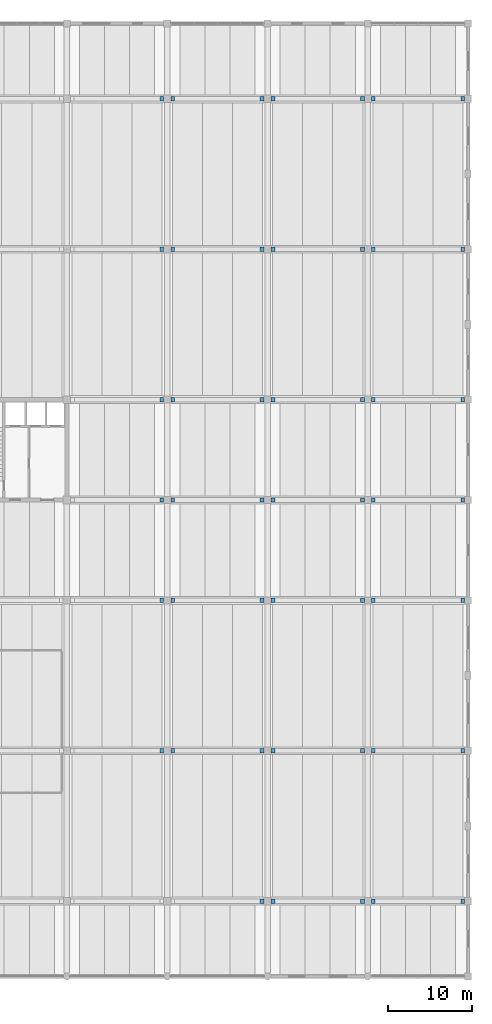
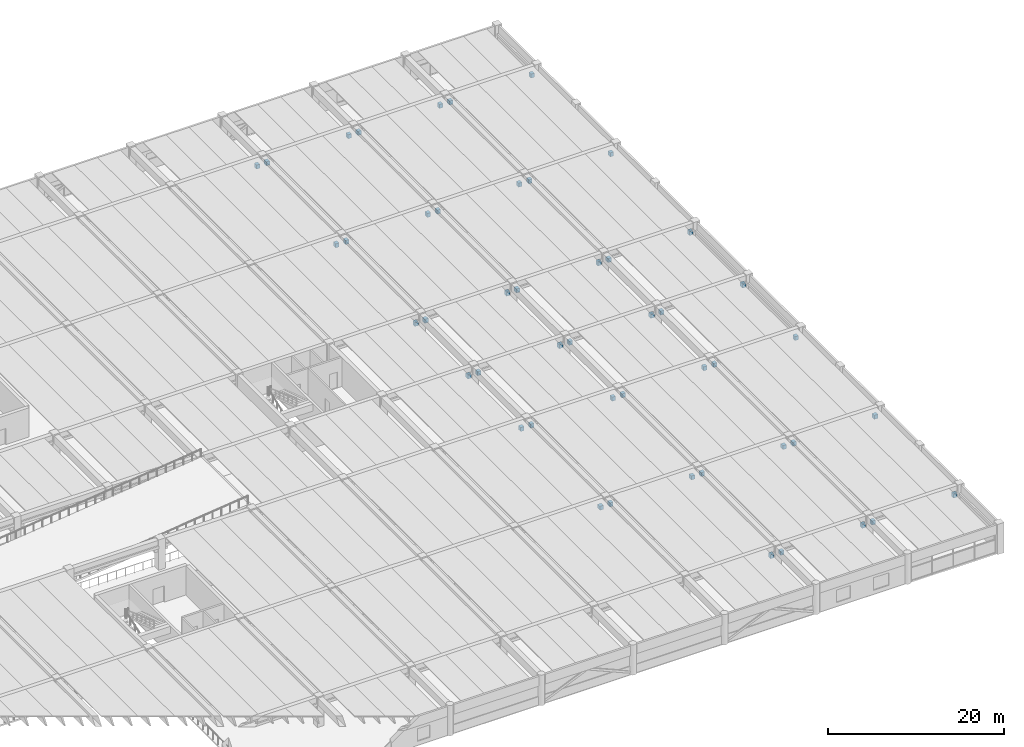
# One storey, part 42 of 50: 47 discrete accessories.
"""IFC4 building model written with IfcOpenShell, lengths in metres."""

from ifc_helpers import new_model, si_unit, direction, frame, origin, origin_2d, place, context, subcontext, project, spatial, rectangle, extrude, material, type_object, element, save


model = new_model("IFC4")

# Units and contexts
model_context = context("Model", 3, precision=1e-05, world=origin(), true_north=direction((0.0, 1.0)))
body_context = subcontext(model_context, "Body", "Model", "MODEL_VIEW")
ifc_project = project(units=[si_unit("LENGTHUNIT", "METRE"), si_unit("AREAUNIT", "SQUARE_METRE"), si_unit("VOLUMEUNIT", "CUBIC_METRE"), si_unit("PLANEANGLEUNIT", "RADIAN"), si_unit("MASSUNIT", "GRAM", prefix="KILO")], contexts=[model_context])

# Site, building, storey
site_placement = place(None, origin())
site = spatial("IfcSite", under=ifc_project, at=site_placement, CompositionType="ELEMENT")
building_placement = place(site_placement, origin())
building = spatial("IfcBuilding", under=site, at=building_placement, Name="Girod Span Mobility Hub", CompositionType="ELEMENT")
storey_placement = place(building_placement, frame((0.0, 0.0, 5.39990234375)))
storey = spatial("IfcBuildingStorey", under=building, at=storey_placement, Name="L01", CompositionType="ELEMENT", Elevation=5.39990234375)

# Discrete accessories
ifc_material = material(Name="Concrete C40/50", Category="concrete")
discrete_accessory_type = type_object("IfcDiscreteAccessoryType", Name="ACC-CORBEL-550", PredefinedType="BRACKET", material=ifc_material)
for number, where, z_axis, x_axis, name in (
    (1, (143.35205078125, 9.0, 2.44189453125), (0.0, 0.0, 1.0), (1.0, 0.0, 0.0), "Precast Corbel 12/B-R L01"),
    (2, (144.64794921875, 9.0, 2.44189453125), (0.0, 0.0, 1.0), (1.0, 0.0, 0.0), "Precast Corbel 13/B-L L01"),
    (3, (155.35205078125, 9.0, 2.44189453125), (0.0, 0.0, 1.0), (1.0, 0.0, 0.0), "Precast Corbel 13/B-R L01"),
    (4, (156.64794921875, 9.0, 2.44189453125), (0.0, 0.0, 1.0), (1.0, 0.0, 0.0), "Precast Corbel 14/B-L L01"),
    (5, (167.35205078125, 9.0, 2.44189453125), (0.0, 0.0, 1.0), (1.0, 0.0, 0.0), "Precast Corbel 14/B-R L01"),
    (6, (131.35205078125, 27.0, 2.44189453125), (0.0, 0.0, 1.0), (1.0, 0.0, 0.0), "Precast Corbel 11/C-R L01"),
    (7, (132.64794921875, 27.0, 2.44189453125), (0.0, 0.0, 1.0), (1.0, 0.0, 0.0), "Precast Corbel 12/C-L L01"),
    (8, (143.35205078125, 27.0, 2.44189453125), (0.0, 0.0, 1.0), (1.0, 0.0, 0.0), "Precast Corbel 12/C-R L01"),
    (9, (144.64794921875, 27.0, 2.44189453125), (0.0, 0.0, 1.0), (1.0, 0.0, 0.0), "Precast Corbel 13/C-L L01"),
    (10, (155.35205078125, 27.0, 2.44189453125), (0.0, 0.0, 1.0), (1.0, 0.0, 0.0), "Precast Corbel 13/C-R L01"),
    (11, (156.64794921875, 27.0, 2.44189453125), (0.0, 0.0, 1.0), (1.0, 0.0, 0.0), "Precast Corbel 14/C-L L01"),
    (12, (167.35205078125, 27.0, 2.44189453125), (0.0, 0.0, 1.0), (1.0, 0.0, 0.0), "Precast Corbel 14/C-R L01"),
    (13, (131.35205078125, 45.0, 2.44189453125), (0.0, 0.0, 1.0), (1.0, 0.0, 0.0), "Precast Corbel 11/D-R L01"),
    (14, (132.64794921875, 45.0, 2.44189453125), (0.0, 0.0, 1.0), (1.0, 0.0, 0.0), "Precast Corbel 12/D-L L01"),
    (15, (143.35205078125, 45.0, 2.44189453125), (0.0, 0.0, 1.0), (1.0, 0.0, 0.0), "Precast Corbel 12/D-R L01"),
    (16, (144.64794921875, 45.0, 2.44189453125), (0.0, 0.0, 1.0), (1.0, 0.0, 0.0), "Precast Corbel 13/D-L L01"),
    (17, (155.35205078125, 45.0, 2.44189453125), (0.0, 0.0, 1.0), (1.0, 0.0, 0.0), "Precast Corbel 13/D-R L01"),
    (18, (156.64794921875, 45.0, 2.44189453125), (0.0, 0.0, 1.0), (1.0, 0.0, 0.0), "Precast Corbel 14/D-L L01"),
    (19, (167.35205078125, 45.0, 2.44189453125), (0.0, 0.0, 1.0), (1.0, 0.0, 0.0), "Precast Corbel 14/D-R L01"),
    (20, (131.35205078125, 57.0, 2.44189453125), (0.0, 0.0, 1.0), (1.0, 0.0, 0.0), "Precast Corbel 11/E-R L01"),
    (21, (132.64794921875, 57.0, 2.44189453125), (0.0, 0.0, 1.0), (1.0, 0.0, 0.0), "Precast Corbel 12/E-L L01"),
    (22, (143.35205078125, 57.0, 2.44189453125), (0.0, 0.0, 1.0), (1.0, 0.0, 0.0), "Precast Corbel 12/E-R L01"),
    (23, (144.64794921875, 57.0, 2.44189453125), (0.0, 0.0, 1.0), (1.0, 0.0, 0.0), "Precast Corbel 13/E-L L01"),
    (24, (155.35205078125, 57.0, 2.44189453125), (0.0, 0.0, 1.0), (1.0, 0.0, 0.0), "Precast Corbel 13/E-R L01"),
    (25, (156.64794921875, 57.0, 2.44189453125), (0.0, 0.0, 1.0), (1.0, 0.0, 0.0), "Precast Corbel 14/E-L L01"),
    (26, (167.35205078125, 57.0, 2.44189453125), (0.0, 0.0, 1.0), (1.0, 0.0, 0.0), "Precast Corbel 14/E-R L01"),
    (27, (131.35205078125, 69.0, 2.44189453125), (0.0, 0.0, 1.0), (1.0, 0.0, 0.0), "Precast Corbel 11/F-R L01"),
    (28, (132.64794921875, 69.0, 2.44189453125), (0.0, 0.0, 1.0), (1.0, 0.0, 0.0), "Precast Corbel 12/F-L L01"),
    (29, (143.35205078125, 69.0, 2.44189453125), (0.0, 0.0, 1.0), (1.0, 0.0, 0.0), "Precast Corbel 12/F-R L01"),
    (30, (144.64794921875, 69.0, 2.44189453125), (0.0, 0.0, 1.0), (1.0, 0.0, 0.0), "Precast Corbel 13/F-L L01"),
    (31, (155.35205078125, 69.0, 2.44189453125), (0.0, 0.0, 1.0), (1.0, 0.0, 0.0), "Precast Corbel 13/F-R L01"),
    (32, (156.64794921875, 69.0, 2.44189453125), (0.0, 0.0, 1.0), (1.0, 0.0, 0.0), "Precast Corbel 14/F-L L01"),
    (33, (167.35205078125, 69.0, 2.44189453125), (0.0, 0.0, 1.0), (1.0, 0.0, 0.0), "Precast Corbel 14/F-R L01"),
    (34, (131.35205078125, 87.0, 2.44189453125), (0.0, 0.0, 1.0), (1.0, 0.0, 0.0), "Precast Corbel 11/G-R L01"),
    (35, (132.64794921875, 87.0, 2.44189453125), (0.0, 0.0, 1.0), (1.0, 0.0, 0.0), "Precast Corbel 12/G-L L01"),
    (36, (143.35205078125, 87.0, 2.44189453125), (0.0, 0.0, 1.0), (1.0, 0.0, 0.0), "Precast Corbel 12/G-R L01"),
    (37, (144.64794921875, 87.0, 2.44189453125), (0.0, 0.0, 1.0), (1.0, 0.0, 0.0), "Precast Corbel 13/G-L L01"),
    (38, (155.35205078125, 87.0, 2.44189453125), (0.0, 0.0, 1.0), (1.0, 0.0, 0.0), "Precast Corbel 13/G-R L01"),
    (39, (156.64794921875, 87.0, 2.44189453125), (0.0, 0.0, 1.0), (1.0, 0.0, 0.0), "Precast Corbel 14/G-L L01"),
    (40, (167.35205078125, 87.0, 2.44189453125), (0.0, 0.0, 1.0), (1.0, 0.0, 0.0), "Precast Corbel 14/G-R L01"),
    (41, (131.35205078125, 105.0, 2.44189453125), (0.0, 0.0, 1.0), (1.0, 0.0, 0.0), "Precast Corbel 11/H-R L01"),
    (42, (132.64794921875, 105.0, 2.44189453125), (0.0, 0.0, 1.0), (1.0, 0.0, 0.0), "Precast Corbel 12/H-L L01"),
    (43, (143.35205078125, 105.0, 2.44189453125), (0.0, 0.0, 1.0), (1.0, 0.0, 0.0), "Precast Corbel 12/H-R L01"),
    (44, (144.64794921875, 105.0, 2.44189453125), (0.0, 0.0, 1.0), (1.0, 0.0, 0.0), "Precast Corbel 13/H-L L01"),
    (45, (155.35205078125, 105.0, 2.44189453125), (0.0, 0.0, 1.0), (1.0, 0.0, 0.0), "Precast Corbel 13/H-R L01"),
    (46, (156.64794921875, 105.0, 2.44189453125), (0.0, 0.0, 1.0), (1.0, 0.0, 0.0), "Precast Corbel 14/H-L L01"),
    (47, (167.35205078125, 105.0, 2.44189453125), (0.0, 0.0, 1.0), (1.0, 0.0, 0.0), "Precast Corbel 14/H-R L01"),
):
    element("IfcDiscreteAccessory", number, at=place(storey_placement, frame(where, z_axis=z_axis, x_axis=x_axis)), inside=storey, type_object=discrete_accessory_type, Name=name, PredefinedType="BRACKET", context=body_context, shape_type="SweptSolid", body=[
        extrude(rectangle(XDim=0.449951171875, YDim=0.5, at=origin_2d()), origin(), (0.0, 0.0, 1.0), 0.550048828125),
    ])

save(model, "model.ifc")
